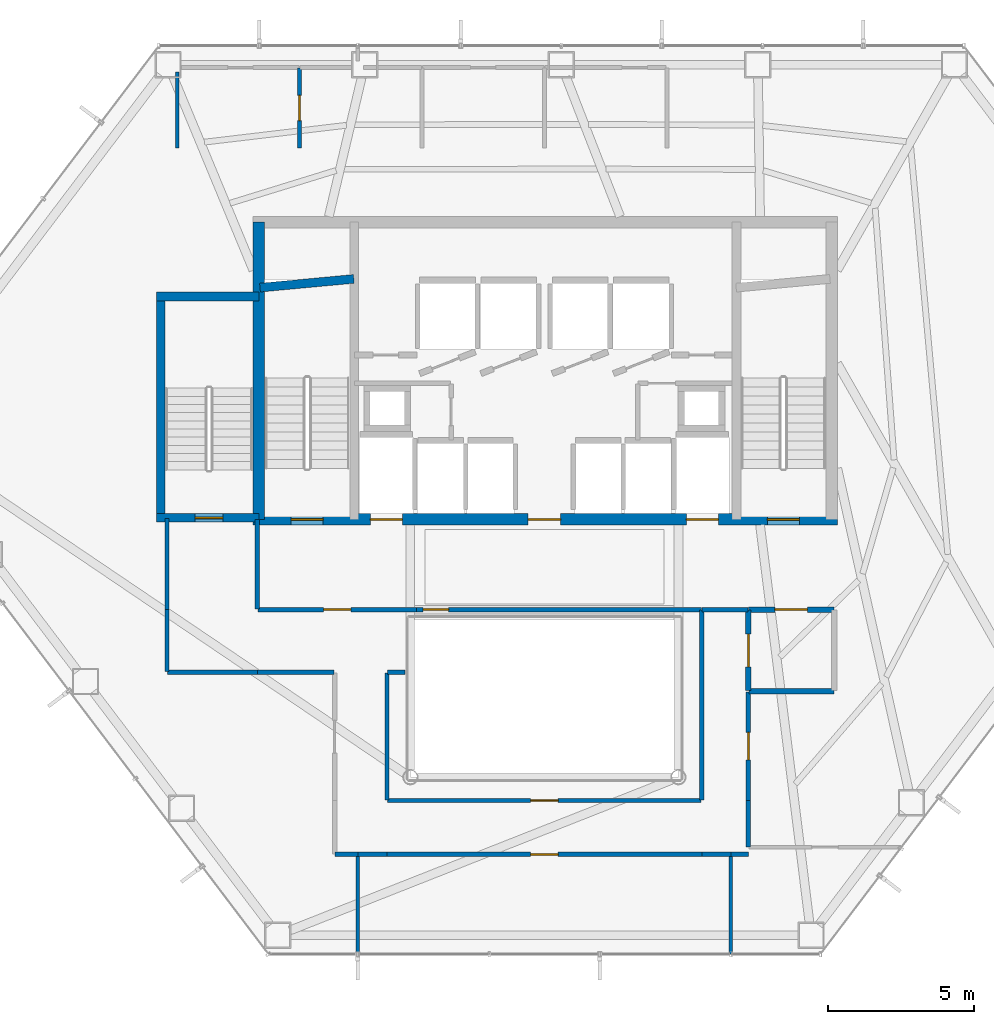
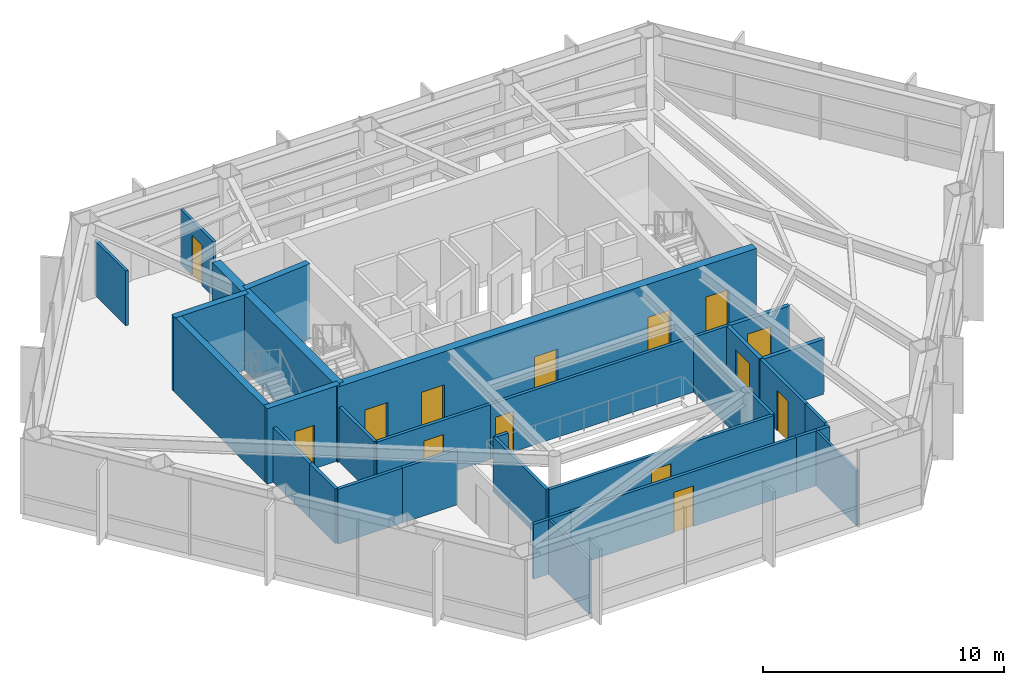
# One storey, part 21 of 24: 32 walls, 14 doors, 14 openings.
"""IFC4 building model written with IfcOpenShell, lengths in metres."""

from ifc_helpers import new_model, si_unit, direction, frame, frame_2d, origin, place, context, subcontext, project, spatial, rectangle, extrude, material, layer, layer_set, type_object, element, fill, save


model = new_model("IFC4")

# Units and contexts
model_context = context("Model", 3, precision=1e-05, world=origin(), true_north=direction((0.0, 1.0)))
body_context = subcontext(model_context, "Body", "Model", "MODEL_VIEW")
ifc_project = project(units=[si_unit("LENGTHUNIT", "METRE"), si_unit("AREAUNIT", "SQUARE_METRE"), si_unit("VOLUMEUNIT", "CUBIC_METRE"), si_unit("PLANEANGLEUNIT", "RADIAN"), si_unit("MASSUNIT", "GRAM", prefix="KILO")], contexts=[model_context])

# Site, building, storey
site_placement = place(None, origin())
site = spatial("IfcSite", under=ifc_project, at=site_placement, CompositionType="ELEMENT")
building_placement = place(site_placement, origin())
building = spatial("IfcBuilding", under=site, at=building_placement, Name="Zarrinselat Tower", CompositionType="ELEMENT")
storey_placement = place(building_placement, frame((0.0, 0.0, 100.97998046875)))
storey = spatial("IfcBuildingStorey", under=building, at=storey_placement, Name="L24", CompositionType="ELEMENT", Elevation=100.97998046875)

# Wall, opening, door
ifc_material_1 = material(Name="Concrete C40/50", Category="concrete")
ifc_layer_1 = layer(ifc_material_1, 0.18994140625)
ifc_layer_set_1 = layer_set([ifc_layer_1], Name="Concrete C40/50")
wall_type_1 = type_object("IfcWallType", Name="WAL-PART-EI120", PredefinedType="PARTITIONING", material=ifc_layer_set_1)
wall_1_placement = place(storey_placement, frame((45.405029296875, 30.14990234375, 0.0), z_axis=(0.0, 0.0, 1.0), x_axis=(1.0, 0.0, 0.0)))
wall_1 = element("IfcWall", 1, at=wall_1_placement, inside=storey, type_object=wall_type_1, Name="L24 Partition Wall 7", PredefinedType="PARTITIONING", context=body_context, shape_type="SweptSolid", body=[
    extrude(rectangle(XDim=2.925048828125, YDim=0.18994140625, at=frame_2d((1.46240234375, 0.0))), origin(), (0.0, 0.0, 1.0), 2.777099609375),
])
opening_1_placement = place(wall_1_placement, frame((0.902587890625, 0.0, 0.0)))
opening_1 = element("IfcOpeningElement", 2, at=opening_1_placement, cuts=wall_1, Name="Opening ID-02", PredefinedType="OPENING", context=body_context, shape_type="SweptSolid", body=[
    extrude(rectangle(XDim=1.1201171875, YDim=2.050048828125, at=frame_2d((0.56005859375, 1.02490234375))), frame((0.0, 0.10498046875, 0.0), z_axis=(0.0, -1.0, 0.0), x_axis=(1.0, 0.0, 0.0)), (0.0, 0.0, 1.0), 0.2099609375),
])
ifc_material_2 = material(Name="Steel S355J2", Category="steel")
door_type_1 = type_object("IfcDoorType", Name="DR-INT-FD60-W", OperationType="NOTDEFINED", PredefinedType="DOOR", material=ifc_material_2)
door_1_placement = place(opening_1_placement, origin())
door_1 = element("IfcDoor", 3, at=door_1_placement, inside=storey, type_object=door_type_1, Name="L24 Interior Door P7", OperationType="SINGLE_SWING_LEFT", OverallHeight=2.050048828125, OverallWidth=1.1201171875, PredefinedType="DOOR", context=body_context, shape_type="SweptSolid", body=[
    extrude(rectangle(XDim=1.1201171875, YDim=2.050048828125, at=frame_2d((0.56005859375, 1.02490234375))), frame((0.0, 0.02490234375, 0.0), z_axis=(0.0, -1.0, 0.0), x_axis=(1.0, 0.0, 0.0)), (0.0, 0.0, 1.0), 0.050048828125),
])
fill(opening_1, door_1)

wall_2_placement = place(storey_placement, frame((45.39990234375, 27.3701171875, 0.0), z_axis=(0.0, 0.0, 1.0), x_axis=(0.0, 1.0, 0.0)))
wall_2 = element("IfcWall", 4, at=wall_2_placement, inside=storey, type_object=wall_type_1, Name="L24 Partition Wall 12", PredefinedType="PARTITIONING", context=body_context, shape_type="SweptSolid", body=[
    extrude(rectangle(XDim=2.759765625, YDim=0.18994140625, at=frame_2d((1.3798828125, 0.0))), origin(), (0.0, 0.0, 1.0), 2.777099609375),
])
opening_2_placement = place(wall_2_placement, frame((0.820068359375, 0.0, 0.0)))
opening_2 = element("IfcOpeningElement", 5, at=opening_2_placement, cuts=wall_2, Name="Opening ID-02", PredefinedType="OPENING", context=body_context, shape_type="SweptSolid", body=[
    extrude(rectangle(XDim=1.1201171875, YDim=2.050048828125, at=frame_2d((0.56005859375, 1.02490234375))), frame((0.0, 0.10498046875, 0.0), z_axis=(0.0, -1.0, 0.0), x_axis=(1.0, 0.0, 0.0)), (0.0, 0.0, 1.0), 0.2099609375),
])
door_2_placement = place(opening_2_placement, origin())
door_2 = element("IfcDoor", 6, at=door_2_placement, inside=storey, type_object=door_type_1, Name="L24 Interior Door P12", OperationType="SINGLE_SWING_RIGHT", OverallHeight=2.050048828125, OverallWidth=1.1201171875, PredefinedType="DOOR", context=body_context, shape_type="SweptSolid", body=[
    extrude(rectangle(XDim=1.1201171875, YDim=2.050048828125, at=frame_2d((0.56005859375, 1.02490234375))), frame((0.0, 0.02490234375, 0.0), z_axis=(0.0, -1.0, 0.0), x_axis=(1.0, 0.0, 0.0)), (0.0, 0.0, 1.0), 0.050048828125),
])
fill(opening_2, door_2)

# Walls
wall_3_placement = place(storey_placement, frame((45.419921875, 27.35009765625, 0.0), z_axis=(0.0, 0.0, 1.0), x_axis=(1.0, 0.0, 0.0)))
element("IfcWall", 7, at=wall_3_placement, inside=storey, type_object=wall_type_1, Name="L24 Partition Wall 13", PredefinedType="PARTITIONING", context=body_context, shape_type="SweptSolid", body=[
    extrude(rectangle(XDim=2.91015625, YDim=0.18994140625, at=frame_2d((1.455078125, 0.0))), origin(), (0.0, 0.0, 1.0), 2.777099609375),
])
ifc_material_3 = material(Name="Fire-Rated Gypsum Board Partition", Category="gypsum")
ifc_layer_2 = layer(ifc_material_3, 0.14990234375)
ifc_layer_set_2 = layer_set([ifc_layer_2], Name="Fire-Rated Gypsum Board Partition")
wall_type_2 = type_object("IfcWallType", Name="WAL-PART-EI60", PredefinedType="PARTITIONING", material=ifc_layer_set_2)
wall_4_placement = place(storey_placement, frame((43.804931640625, 30.14990234375, 0.0), z_axis=(0.0, 0.0, 1.0), x_axis=(1.0, 0.0, 0.0)))
element("IfcWall", 8, at=wall_4_placement, inside=storey, type_object=wall_type_2, Name="L24 Partition Wall 8", PredefinedType="PARTITIONING", context=body_context, shape_type="SweptSolid", body=[
    extrude(rectangle(XDim=1.590087890625, YDim=0.14990234375, at=frame_2d((0.794921875, 0.0))), origin(), (0.0, 0.0, 1.0), 2.777099609375),
])

# Wall, opening, door
wall_5_placement = place(storey_placement, frame((28.570068359375, 30.14990234375, 0.0), z_axis=(0.0, 0.0, 1.0), x_axis=(1.0, 0.0, 0.0)))
wall_5 = element("IfcWall", 9, at=wall_5_placement, inside=storey, type_object=wall_type_2, Name="L24 Partition Wall 9", PredefinedType="PARTITIONING", context=body_context, shape_type="SweptSolid", body=[
    extrude(rectangle(XDim=5.44482421875, YDim=0.14990234375, at=frame_2d((2.722412109375, 0.0))), origin(), (0.0, 0.0, 1.0), 2.777099609375),
])
opening_3_placement = place(wall_5_placement, frame((2.25244140625, 0.0, 0.0)))
opening_3 = element("IfcOpeningElement", 10, at=opening_3_placement, cuts=wall_5, Name="Opening ID-04", PredefinedType="OPENING", context=body_context, shape_type="SweptSolid", body=[
    extrude(rectangle(XDim=0.93994140625, YDim=2.050048828125, at=frame_2d((0.469970703125, 1.02490234375))), frame((0.0, 0.0849609375, 0.0), z_axis=(0.0, -1.0, 0.0), x_axis=(1.0, 0.0, 0.0)), (0.0, 0.0, 1.0), 0.169921875),
])
ifc_material_4 = material(Name="Fire-Rated Gypsum Board Partition")
door_type_2 = type_object("IfcDoorType", Name="DR-INT-FD30-ENT", OperationType="NOTDEFINED", PredefinedType="DOOR", material=ifc_material_4)
door_3_placement = place(opening_3_placement, origin())
door_3 = element("IfcDoor", 11, at=door_3_placement, inside=storey, type_object=door_type_2, Name="L24 Interior Door P9", OperationType="SINGLE_SWING_RIGHT", OverallHeight=2.050048828125, OverallWidth=0.93994140625, PredefinedType="DOOR", context=body_context, shape_type="SweptSolid", body=[
    extrude(rectangle(XDim=0.93994140625, YDim=2.050048828125, at=frame_2d((0.469970703125, 1.02490234375))), frame((0.0, 0.02490234375, 0.0), z_axis=(0.0, -1.0, 0.0), x_axis=(1.0, 0.0, 0.0)), (0.0, 0.0, 1.0), 0.050048828125),
])
fill(opening_3, door_3)

# Wall
wall_6_placement = place(storey_placement, frame((28.550048828125, 30.169921875, 0.0), z_axis=(0.0, 0.0, 1.0), x_axis=(0.0, 1.0, 0.0)))
element("IfcWall", 12, at=wall_6_placement, inside=storey, type_object=wall_type_2, Name="L24 Partition Wall 10", PredefinedType="PARTITIONING", context=body_context, shape_type="SweptSolid", body=[
    extrude(rectangle(XDim=3.065185546875, YDim=0.14990234375, at=frame_2d((1.53271484375, 0.0))), origin(), (0.0, 0.0, 1.0), 2.777099609375),
])

# Wall, opening, door
wall_7_placement = place(storey_placement, frame((33.985107421875, 30.14990234375, 0.0), z_axis=(0.0, 0.0, 1.0), x_axis=(1.0, 0.0, 0.0)))
wall_7 = element("IfcWall", 13, at=wall_7_placement, inside=storey, type_object=wall_type_2, Name="L24 Partition Wall 11", PredefinedType="PARTITIONING", context=body_context, shape_type="SweptSolid", body=[
    extrude(rectangle(XDim=9.809814453125, YDim=0.14990234375, at=frame_2d((4.90478515625, 0.0))), origin(), (0.0, 0.0, 1.0), 2.777099609375),
])
opening_4_placement = place(wall_7_placement, frame((0.25, 0.0, 0.0)))
opening_4 = element("IfcOpeningElement", 14, at=opening_4_placement, cuts=wall_7, Name="Opening ID-03", PredefinedType="OPENING", context=body_context, shape_type="SweptSolid", body=[
    extrude(rectangle(XDim=0.8798828125, YDim=2.050048828125, at=frame_2d((0.43994140625, 1.02490234375))), frame((0.0, 0.0849609375, 0.0), z_axis=(0.0, -1.0, 0.0), x_axis=(1.0, 0.0, 0.0)), (0.0, 0.0, 1.0), 0.169921875),
])
ifc_material_5 = material(Name="Steel S355J2", Category="steel")
door_type_3 = type_object("IfcDoorType", Name="DR-INT-FD60-S", OperationType="NOTDEFINED", PredefinedType="DOOR", material=ifc_material_5)
door_4_placement = place(opening_4_placement, origin())
door_4 = element("IfcDoor", 15, at=door_4_placement, inside=storey, type_object=door_type_3, Name="L24 Interior Door P11", OperationType="SINGLE_SWING_LEFT", OverallHeight=2.050048828125, OverallWidth=0.8798828125, PredefinedType="DOOR", context=body_context, shape_type="SweptSolid", body=[
    extrude(rectangle(XDim=0.8798828125, YDim=2.050048828125, at=frame_2d((0.43994140625, 1.02490234375))), frame((0.0, 0.02490234375, 0.0), z_axis=(0.0, -1.0, 0.0), x_axis=(1.0, 0.0, 0.0)), (0.0, 0.0, 1.0), 0.050048828125),
])
fill(opening_4, door_4)

# Wall
wall_8_placement = place(storey_placement, frame((43.800048828125, 21.75, 0.0), z_axis=(0.0, 0.0, 1.0), x_axis=(1.0, 0.0, 0.0)))
element("IfcWall", 16, at=wall_8_placement, inside=storey, type_object=wall_type_2, Name="L24 Partition Wall 15", PredefinedType="PARTITIONING", context=body_context, shape_type="SweptSolid", body=[
    extrude(rectangle(XDim=0.994873046875, YDim=0.14990234375, at=frame_2d((0.49755859375, 0.0))), origin(), (0.0, 0.0, 1.0), 2.777099609375),
])

# Wall, opening, door
wall_9_placement = place(storey_placement, frame((33.0, 21.75, 0.0), z_axis=(0.0, 0.0, 1.0), x_axis=(1.0, 0.0, 0.0)))
wall_9 = element("IfcWall", 17, at=wall_9_placement, inside=storey, type_object=wall_type_2, Name="L24 Partition Wall 16", PredefinedType="PARTITIONING", context=body_context, shape_type="SweptSolid", body=[
    extrude(rectangle(XDim=10.800048828125, YDim=0.14990234375, at=frame_2d((5.39990234375, 0.0))), origin(), (0.0, 0.0, 1.0), 2.777099609375),
])
opening_5_placement = place(wall_9_placement, frame((4.929931640625, 0.0, 0.0)))
opening_5 = element("IfcOpeningElement", 18, at=opening_5_placement, cuts=wall_9, Name="Opening ID-04", PredefinedType="OPENING", context=body_context, shape_type="SweptSolid", body=[
    extrude(rectangle(XDim=0.93994140625, YDim=2.050048828125, at=frame_2d((0.469970703125, 1.02490234375))), frame((0.0, 0.0849609375, 0.0), z_axis=(0.0, -1.0, 0.0), x_axis=(1.0, 0.0, 0.0)), (0.0, 0.0, 1.0), 0.169921875),
])
door_5_placement = place(opening_5_placement, origin())
door_5 = element("IfcDoor", 19, at=door_5_placement, inside=storey, type_object=door_type_2, Name="L24 Interior Door P16", OperationType="SINGLE_SWING_LEFT", OverallHeight=2.050048828125, OverallWidth=0.93994140625, PredefinedType="DOOR", context=body_context, shape_type="SweptSolid", body=[
    extrude(rectangle(XDim=0.93994140625, YDim=2.050048828125, at=frame_2d((0.469970703125, 1.02490234375))), frame((0.0, 0.02490234375, 0.0), z_axis=(0.0, -1.0, 0.0), x_axis=(1.0, 0.0, 0.0)), (0.0, 0.0, 1.0), 0.050048828125),
])
fill(opening_5, door_5)

# Walls
wall_10_placement = place(storey_placement, frame((32.0048828125, 21.75, 0.0), z_axis=(0.0, 0.0, 1.0), x_axis=(1.0, 0.0, 0.0)))
element("IfcWall", 20, at=wall_10_placement, inside=storey, type_object=wall_type_2, Name="L24 Partition Wall 17", PredefinedType="PARTITIONING", context=body_context, shape_type="SweptSolid", body=[
    extrude(rectangle(XDim=0.9951171875, YDim=0.14990234375, at=frame_2d((0.49755859375, 0.0))), origin(), (0.0, 0.0, 1.0), 2.777099609375),
])
wall_11_placement = place(storey_placement, frame((44.804931640625, 21.75, 0.0), z_axis=(0.0, 0.0, 1.0), x_axis=(1.0, 0.0, 0.0)))
element("IfcWall", 21, at=wall_11_placement, inside=storey, type_object=wall_type_2, Name="L24 Partition Wall 18", PredefinedType="PARTITIONING", context=body_context, shape_type="SweptSolid", body=[
    extrude(rectangle(XDim=0.594970703125, YDim=0.14990234375, at=frame_2d((0.29736328125, 0.0))), origin(), (0.0, 0.0, 1.0), 2.777099609375),
])
wall_12_placement = place(storey_placement, frame((31.219970703125, 21.75, 0.0), z_axis=(0.0, 0.0, 1.0), x_axis=(1.0, 0.0, 0.0)))
element("IfcWall", 22, at=wall_12_placement, inside=storey, type_object=wall_type_2, Name="L24 Partition Wall 19", PredefinedType="PARTITIONING", context=body_context, shape_type="SweptSolid", body=[
    extrude(rectangle(XDim=0.775146484375, YDim=0.14990234375, at=frame_2d((0.3876953125, 0.0))), origin(), (0.0, 0.0, 1.0), 2.777099609375),
])
wall_13_placement = place(storey_placement, frame((28.550048828125, 28.0, 0.0), z_axis=(0.0, 0.0, 1.0), x_axis=(1.0, 0.0, 0.0)))
element("IfcWall", 23, at=wall_13_placement, inside=storey, type_object=wall_type_2, Name="L24 Partition Wall 22", PredefinedType="PARTITIONING", context=body_context, shape_type="SweptSolid", body=[
    extrude(rectangle(XDim=2.6298828125, YDim=0.14990234375, at=frame_2d((1.31494140625, 0.0))), origin(), (0.0, 0.0, 1.0), 2.777099609375),
])
wall_14_placement = place(storey_placement, frame((25.469970703125, 28.0, 0.0), z_axis=(0.0, 0.0, 1.0), x_axis=(1.0, 0.0, 0.0)))
element("IfcWall", 24, at=wall_14_placement, inside=storey, type_object=wall_type_2, Name="L24 Partition Wall 23", PredefinedType="PARTITIONING", context=body_context, shape_type="SweptSolid", body=[
    extrude(rectangle(XDim=3.080078125, YDim=0.14990234375, at=frame_2d((1.5400390625, 0.0))), origin(), (0.0, 0.0, 1.0), 2.777099609375),
])
wall_15_placement = place(storey_placement, frame((25.449951171875, 28.02001953125, 0.0), z_axis=(0.0, 0.0, 1.0), x_axis=(0.0, 1.0, 0.0)))
element("IfcWall", 25, at=wall_15_placement, inside=storey, type_object=wall_type_2, Name="L24 Partition Wall 24", PredefinedType="PARTITIONING", context=body_context, shape_type="SweptSolid", body=[
    extrude(rectangle(XDim=2.1298828125, YDim=0.14990234375, at=frame_2d((1.06494140625, 0.0))), origin(), (0.0, 0.0, 1.0), 2.777099609375),
])
wall_16_placement = place(storey_placement, frame((25.449951171875, 30.14990234375, 0.0), z_axis=(0.0, 0.0, 1.0), x_axis=(0.0, 1.0, 0.0)))
element("IfcWall", 26, at=wall_16_placement, inside=storey, type_object=wall_type_2, Name="L24 Partition Wall 25", PredefinedType="PARTITIONING", context=body_context, shape_type="SweptSolid", body=[
    extrude(rectangle(XDim=3.135009765625, YDim=0.14990234375, at=frame_2d((1.5673828125, 0.0))), origin(), (0.0, 0.0, 1.0), 2.777099609375),
])

# Wall, opening, door
wall_17_placement = place(storey_placement, frame((45.39990234375, 23.60009765625, 0.0), z_axis=(0.0, 0.0, 1.0), x_axis=(0.0, 1.0, 0.0)))
wall_17 = element("IfcWall", 27, at=wall_17_placement, inside=storey, type_object=wall_type_2, Name="L24 Partition Wall 26", PredefinedType="PARTITIONING", context=body_context, shape_type="SweptSolid", body=[
    extrude(rectangle(XDim=3.72998046875, YDim=0.14990234375, at=frame_2d((1.864990234375, 0.0))), origin(), (0.0, 0.0, 1.0), 2.777099609375),
])
opening_6_placement = place(wall_17_placement, frame((1.39501953125, 0.0, 0.0)))
opening_6 = element("IfcOpeningElement", 28, at=opening_6_placement, cuts=wall_17, Name="Opening ID-04", PredefinedType="OPENING", context=body_context, shape_type="SweptSolid", body=[
    extrude(rectangle(XDim=0.93994140625, YDim=2.050048828125, at=frame_2d((0.469970703125, 1.02490234375))), frame((0.0, 0.0849609375, 0.0), z_axis=(0.0, -1.0, 0.0), x_axis=(1.0, 0.0, 0.0)), (0.0, 0.0, 1.0), 0.169921875),
])
door_6_placement = place(opening_6_placement, origin())
door_6 = element("IfcDoor", 29, at=door_6_placement, inside=storey, type_object=door_type_2, Name="L24 Interior Door P26", OperationType="SINGLE_SWING_LEFT", OverallHeight=2.050048828125, OverallWidth=0.93994140625, PredefinedType="DOOR", context=body_context, shape_type="SweptSolid", body=[
    extrude(rectangle(XDim=0.93994140625, YDim=2.050048828125, at=frame_2d((0.469970703125, 1.02490234375))), frame((0.0, 0.02490234375, 0.0), z_axis=(0.0, -1.0, 0.0), x_axis=(1.0, 0.0, 0.0)), (0.0, 0.0, 1.0), 0.050048828125),
])
fill(opening_6, door_6)

# Walls
wall_18_placement = place(storey_placement, frame((45.39990234375, 22.0048828125, 0.0), z_axis=(0.0, 0.0, 1.0), x_axis=(0.0, 1.0, 0.0)))
element("IfcWall", 30, at=wall_18_placement, inside=storey, type_object=wall_type_2, Name="L24 Partition Wall 27", PredefinedType="PARTITIONING", context=body_context, shape_type="SweptSolid", body=[
    extrude(rectangle(XDim=1.59521484375, YDim=0.14990234375, at=frame_2d((0.797607421875, 0.0))), origin(), (0.0, 0.0, 1.0), 2.777099609375),
])
wall_19_placement = place(storey_placement, frame((33.02001953125, 28.0, 0.0), z_axis=(0.0, 0.0, 1.0), x_axis=(1.0, 0.0, 0.0)))
element("IfcWall", 31, at=wall_19_placement, inside=storey, type_object=wall_type_2, Name="L24 Partition Wall 28", PredefinedType="PARTITIONING", context=body_context, shape_type="SweptSolid", body=[
    extrude(rectangle(XDim=0.60009765625, YDim=0.14990234375, at=frame_2d((0.300048828125, 0.0))), origin(), (0.0, 0.0, 1.0), 2.777099609375),
])
wall_20_placement = place(storey_placement, frame((33.0, 23.6201171875, 0.0), z_axis=(0.0, 0.0, 1.0), x_axis=(0.0, 1.0, 0.0)))
element("IfcWall", 32, at=wall_20_placement, inside=storey, type_object=wall_type_2, Name="L24 Partition Wall 29", PredefinedType="PARTITIONING", context=body_context, shape_type="SweptSolid", body=[
    extrude(rectangle(XDim=4.35986328125, YDim=0.14990234375, at=frame_2d((2.179931640625, 0.0))), origin(), (0.0, 0.0, 1.0), 2.777099609375),
])

# Wall, opening, door
wall_21_placement = place(storey_placement, frame((33.02001953125, 23.60009765625, 0.0), z_axis=(0.0, 0.0, 1.0), x_axis=(1.0, 0.0, 0.0)))
wall_21 = element("IfcWall", 33, at=wall_21_placement, inside=storey, type_object=wall_type_2, Name="L24 Partition Wall 30", PredefinedType="PARTITIONING", context=body_context, shape_type="SweptSolid", body=[
    extrude(rectangle(XDim=10.760009765625, YDim=0.14990234375, at=frame_2d((5.3798828125, 0.0))), origin(), (0.0, 0.0, 1.0), 2.777099609375),
])
opening_7_placement = place(wall_21_placement, frame((4.909912109375, 0.0, 0.0)))
opening_7 = element("IfcOpeningElement", 34, at=opening_7_placement, cuts=wall_21, Name="Opening ID-04", PredefinedType="OPENING", context=body_context, shape_type="SweptSolid", body=[
    extrude(rectangle(XDim=0.93994140625, YDim=2.050048828125, at=frame_2d((0.469970703125, 1.02490234375))), frame((0.0, 0.0849609375, 0.0), z_axis=(0.0, -1.0, 0.0), x_axis=(1.0, 0.0, 0.0)), (0.0, 0.0, 1.0), 0.169921875),
])
door_7_placement = place(opening_7_placement, origin())
door_7 = element("IfcDoor", 35, at=door_7_placement, inside=storey, type_object=door_type_2, Name="L24 Interior Door P30", OperationType="SINGLE_SWING_RIGHT", OverallHeight=2.050048828125, OverallWidth=0.93994140625, PredefinedType="DOOR", context=body_context, shape_type="SweptSolid", body=[
    extrude(rectangle(XDim=0.93994140625, YDim=2.050048828125, at=frame_2d((0.469970703125, 1.02490234375))), frame((0.0, 0.02490234375, 0.0), z_axis=(0.0, -1.0, 0.0), x_axis=(1.0, 0.0, 0.0)), (0.0, 0.0, 1.0), 0.050048828125),
])
fill(opening_7, door_7)

# Walls
wall_22_placement = place(storey_placement, frame((43.800048828125, 23.6201171875, 0.0), z_axis=(0.0, 0.0, 1.0), x_axis=(0.0, 1.0, 0.0)))
element("IfcWall", 36, at=wall_22_placement, inside=storey, type_object=wall_type_2, Name="L24 Partition Wall 31", PredefinedType="PARTITIONING", context=body_context, shape_type="SweptSolid", body=[
    extrude(rectangle(XDim=6.509765625, YDim=0.14990234375, at=frame_2d((3.2548828125, 0.0))), origin(), (0.0, 0.0, 1.0), 2.777099609375),
])
ifc_material_6 = material(Name="Fire-Rated Gypsum Board Partition", Category="gypsum")
ifc_layer_3 = layer(ifc_material_6, 0.1201171875)
ifc_layer_set_3 = layer_set([ifc_layer_3], Name="Fire-Rated Gypsum Board Partition")
wall_type_3 = type_object("IfcWallType", Name="WAL-PART-STD", PredefinedType="PARTITIONING", material=ifc_layer_set_3)
for number, where, z_axis, x_axis, name in (
    (37, (44.800048828125, 18.340576171875, 0.0), (0.0, 0.0, 1.0), (0.0, 1.0, 0.0), "L24 Partition Wall 42"),
    (38, (32.0, 18.340576171875, 0.0), (0.0, 0.0, 1.0), (0.0, 1.0, 0.0), "L24 Partition Wall 43"),
):
    element("IfcWall", number, at=place(storey_placement, frame(where, z_axis=z_axis, x_axis=x_axis)), inside=storey, type_object=wall_type_3, Name=name, PredefinedType="PARTITIONING", context=body_context, shape_type="SweptSolid", body=[
        extrude(rectangle(XDim=3.389404296875, YDim=0.1201171875, at=frame_2d((1.69482421875, 0.0))), origin(), (0.0, 0.0, 1.0), 2.777099609375),
    ])

# Wall, opening, door
ifc_material_7 = material(Name="Fire-Rated Gypsum Board Partition", Category="gypsum")
ifc_layer_4 = layer(ifc_material_7, 0.135009765625)
ifc_layer_set_4 = layer_set([ifc_layer_4], Name="Fire-Rated Gypsum Board Partition")
wall_type_4 = type_object("IfcWallType", Name="WAL-PART-WET", PredefinedType="PARTITIONING", material=ifc_layer_set_4)
wall_23_placement = place(storey_placement, frame((30.0, 46.0, 0.0), z_axis=(0.0, 0.0, 1.0), x_axis=(0.0, 1.0, 0.0)))
wall_23 = element("IfcWall", 39, at=wall_23_placement, inside=storey, type_object=wall_type_4, Name="L24 Partition Wall 32", PredefinedType="PARTITIONING", context=body_context, shape_type="SweptSolid", body=[
    extrude(rectangle(XDim=2.72998046875, YDim=0.135009765625, at=frame_2d((1.364990234375, 0.0))), origin(), (0.0, 0.0, 1.0), 2.777099609375),
])
opening_8_placement = place(wall_23_placement, frame((0.93505859375, 0.0, 0.0)))
opening_8 = element("IfcOpeningElement", 40, at=opening_8_placement, cuts=wall_23, Name="Opening ID-06", PredefinedType="OPENING", context=body_context, shape_type="SweptSolid", body=[
    extrude(rectangle(XDim=0.860107421875, YDim=2.050048828125, at=frame_2d((0.43017578125, 1.02490234375))), frame((0.0, 0.077392578125, 0.0), z_axis=(0.0, -1.0, 0.0), x_axis=(1.0, 0.0, 0.0)), (0.0, 0.0, 1.0), 0.155029296875),
])
ifc_material_8 = material(Name="Extruded Aluminium Alloy EN AW-6063 T6", Category="aluminium")
door_type_4 = type_object("IfcDoorType", Name="DR-INT-WET-900", OperationType="NOTDEFINED", PredefinedType="DOOR", material=ifc_material_8)
door_8_placement = place(opening_8_placement, origin())
door_8 = element("IfcDoor", 41, at=door_8_placement, inside=storey, type_object=door_type_4, Name="L24 Interior Door P32", OperationType="SINGLE_SWING_LEFT", OverallHeight=2.050048828125, OverallWidth=0.860107421875, PredefinedType="DOOR", context=body_context, shape_type="SweptSolid", body=[
    extrude(rectangle(XDim=0.860107421875, YDim=2.050048828125, at=frame_2d((0.43017578125, 1.02490234375))), frame((0.0, 0.02490234375, 0.0), z_axis=(0.0, -1.0, 0.0), x_axis=(1.0, 0.0, 0.0)), (0.0, 0.0, 1.0), 0.050048828125),
])
fill(opening_8, door_8)

# Walls
wall_24_placement = place(storey_placement, frame((25.800048828125, 46.0, 0.0), z_axis=(0.0, 0.0, 1.0), x_axis=(0.0, 1.0, 0.0)))
element("IfcWall", 42, at=wall_24_placement, inside=storey, type_object=wall_type_4, Name="L24 Partition Wall 34", PredefinedType="PARTITIONING", context=body_context, shape_type="SweptSolid", body=[
    extrude(rectangle(XDim=2.59912109375, YDim=0.135009765625, at=frame_2d((1.299560546875, 0.0))), origin(), (0.0, 0.0, 1.0), 2.777099609375),
])
ifc_material_9 = material(Name="Concrete C40/50", Category="concrete")
ifc_layer_5 = layer(ifc_material_9, 0.300048828125)
ifc_layer_set_5 = layer_set([ifc_layer_5], Name="Concrete C40/50")
wall_type_5 = type_object("IfcWallType", Name="WAL-SHEAR-300", PredefinedType="SHEAR", material=ifc_layer_set_5)
wall_25_placement = place(storey_placement, frame((28.639892578125, 41.199951171875, 0.0), z_axis=(0.0, 0.0, 1.0), x_axis=(0.995687118776, 0.092774789157, 0.0)))
element("IfcWall", 43, at=wall_25_placement, inside=storey, type_object=wall_type_5, Name="L24 Stair 1 North Shaft Wall", PredefinedType="SHEAR", context=body_context, shape_type="SweptSolid", body=[
    extrude(rectangle(XDim=3.234130859375, YDim=0.300048828125, at=frame_2d((1.6171875, 0.0))), origin(), (0.0, 0.0, 1.0), 3.820068359375),
])
wall_26_placement = place(storey_placement, frame((25.080078125, 40.89990234375, 0.0), z_axis=(0.0, 0.0, 1.0), x_axis=(1.0, 0.0, 0.0)))
element("IfcWall", 44, at=wall_26_placement, inside=storey, type_object=wall_type_5, Name="L24 Stair 3 North Shear Wall", PredefinedType="SHEAR", context=body_context, shape_type="SweptSolid", body=[
    extrude(rectangle(XDim=3.52001953125, YDim=0.300048828125, at=frame_2d((1.760009765625, 0.0))), origin(), (0.0, 0.0, 1.0), 3.820068359375),
])

# Wall, opening, door
wall_27_placement = place(storey_placement, frame((25.080078125, 33.300048828125, 0.0), z_axis=(0.0, 0.0, 1.0), x_axis=(1.0, 0.0, 0.0)))
wall_27 = element("IfcWall", 45, at=wall_27_placement, inside=storey, type_object=wall_type_5, Name="L24 Stair 3 South Shear Wall", PredefinedType="SHEAR", context=body_context, shape_type="SweptSolid", body=[
    extrude(rectangle(XDim=3.52001953125, YDim=0.300048828125, at=frame_2d((1.760009765625, 0.0))), origin(), (0.0, 0.0, 1.0), 3.820068359375),
])
opening_9_placement = place(wall_27_placement, frame((1.3349609375, 0.0, 0.0)))
opening_9 = element("IfcOpeningElement", 46, at=opening_9_placement, cuts=wall_27, Name="Opening SD-02", PredefinedType="OPENING", context=body_context, shape_type="SweptSolid", body=[
    extrude(rectangle(XDim=0.949951171875, YDim=2.199951171875, at=frame_2d((0.47509765625, 1.10009765625))), frame((0.0, 0.159912109375, 0.0), z_axis=(0.0, -1.0, 0.0), x_axis=(1.0, 0.0, 0.0)), (0.0, 0.0, 1.0), 0.320068359375),
])
ifc_material_10 = material(Name="Steel S355J2", Category="steel")
door_type_5 = type_object("IfcDoorType", Name="DR-STAIR-1050", OperationType="NOTDEFINED", PredefinedType="DOOR", material=ifc_material_10)
door_9_placement = place(opening_9_placement, origin())
door_9 = element("IfcDoor", 47, at=door_9_placement, inside=storey, type_object=door_type_5, Name="L24 Exit Stair 3 Fire Door", OperationType="SINGLE_SWING_LEFT", OverallHeight=2.199951171875, OverallWidth=0.949951171875, PredefinedType="DOOR", context=body_context, shape_type="SweptSolid", body=[
    extrude(rectangle(XDim=0.949951171875, YDim=2.199951171875, at=frame_2d((0.47509765625, 1.10009765625))), frame((0.0, 0.02490234375, 0.0), z_axis=(0.0, -1.0, 0.0), x_axis=(1.0, 0.0, 0.0)), (0.0, 0.0, 1.0), 0.050048828125),
])
fill(opening_9, door_9)

# Wall
wall_28_placement = place(storey_placement, frame((25.22998046875, 33.300048828125, 0.0), z_axis=(0.0, 0.0, 1.0), x_axis=(0.0, 1.0, 0.0)))
element("IfcWall", 48, at=wall_28_placement, inside=storey, type_object=wall_type_5, Name="L24 Stair 3 West Shear Wall", PredefinedType="SHEAR", context=body_context, shape_type="SweptSolid", body=[
    extrude(rectangle(XDim=7.599853515625, YDim=0.300048828125, at=frame_2d((3.7998046875, 0.0))), origin(), (0.0, 0.0, 1.0), 3.820068359375),
])

# Wall, openings, doors
ifc_material_11 = material(Name="Concrete C60/75", Category="concrete")
ifc_layer_6 = layer(ifc_material_11, 0.39990234375)
ifc_layer_set_6 = layer_set([ifc_layer_6], Name="Concrete C60/75")
wall_type_6 = type_object("IfcWallType", Name="WAL-SHEAR-400", PredefinedType="SHEAR", material=ifc_layer_set_6)
wall_29_placement = place(storey_placement, frame((28.39990234375, 33.25, 0.0), z_axis=(0.0, 0.0, 1.0), x_axis=(1.0, 0.0, 0.0)))
wall_29 = element("IfcWall", 49, at=wall_29_placement, inside=storey, type_object=wall_type_6, Name="L24 South Core Shear Wall", PredefinedType="SHEAR", context=body_context, shape_type="SweptSolid", body=[
    extrude(rectangle(XDim=20.06005859375, YDim=0.39990234375, at=frame_2d((10.030029296875, 0.0))), origin(), (0.0, 0.0, 1.0), 3.820068359375),
])
opening_10_placement = place(wall_29_placement, frame((4.030029296875, 0.0, 0.0)))
opening_10 = element("IfcOpeningElement", 50, at=opening_10_placement, cuts=wall_29, Name="Opening LD-FFL1", PredefinedType="OPENING", context=body_context, shape_type="SweptSolid", body=[
    extrude(rectangle(XDim=1.10009765625, YDim=2.14990234375, at=frame_2d((0.550048828125, 1.074951171875))), frame((0.0, 0.2099609375, 0.0), z_axis=(0.0, -1.0, 0.0), x_axis=(1.0, 0.0, 0.0)), (0.0, 0.0, 1.0), 0.419921875),
])
opening_11_placement = place(wall_29_placement, frame((14.8701171875, 0.0, 0.0)))
opening_11 = element("IfcOpeningElement", 51, at=opening_11_placement, cuts=wall_29, Name="Opening LD-FFL2", PredefinedType="OPENING", context=body_context, shape_type="SweptSolid", body=[
    extrude(rectangle(XDim=1.10009765625, YDim=2.14990234375, at=frame_2d((0.550048828125, 1.074951171875))), frame((0.0, 0.2099609375, 0.0), z_axis=(0.0, -1.0, 0.0), x_axis=(1.0, 0.0, 0.0)), (0.0, 0.0, 1.0), 0.419921875),
])
opening_12_placement = place(wall_29_placement, frame((1.31005859375, 0.0, 0.0)))
opening_12 = element("IfcOpeningElement", 52, at=opening_12_placement, cuts=wall_29, Name="Opening SD-01", PredefinedType="OPENING", context=body_context, shape_type="SweptSolid", body=[
    extrude(rectangle(XDim=1.10009765625, YDim=2.199951171875, at=frame_2d((0.550048828125, 1.10009765625))), frame((0.0, 0.2099609375, 0.0), z_axis=(0.0, -1.0, 0.0), x_axis=(1.0, 0.0, 0.0)), (0.0, 0.0, 1.0), 0.419921875),
])
opening_13_placement = place(wall_29_placement, frame((9.43994140625, 0.0, 0.0)))
opening_13 = element("IfcOpeningElement", 53, at=opening_13_placement, cuts=wall_29, Name="Opening ID-02", PredefinedType="OPENING", context=body_context, shape_type="SweptSolid", body=[
    extrude(rectangle(XDim=1.1201171875, YDim=2.050048828125, at=frame_2d((0.56005859375, 1.02490234375))), frame((0.0, 0.2099609375, 0.0), z_axis=(0.0, -1.0, 0.0), x_axis=(1.0, 0.0, 0.0)), (0.0, 0.0, 1.0), 0.419921875),
])
opening_14_placement = place(wall_29_placement, frame((17.64990234375, 0.0, 0.0)))
opening_14 = element("IfcOpeningElement", 54, at=opening_14_placement, cuts=wall_29, Name="Opening SD-01", PredefinedType="OPENING", context=body_context, shape_type="SweptSolid", body=[
    extrude(rectangle(XDim=1.10009765625, YDim=2.199951171875, at=frame_2d((0.550048828125, 1.10009765625))), frame((0.0, 0.2099609375, 0.0), z_axis=(0.0, -1.0, 0.0), x_axis=(1.0, 0.0, 0.0)), (0.0, 0.0, 1.0), 0.419921875),
])
door_10_placement = place(opening_13_placement, origin())
door_10 = element("IfcDoor", 55, at=door_10_placement, inside=storey, type_object=door_type_1, Name="L24 Core Service Vestibule Fire Door", OperationType="SINGLE_SWING_RIGHT", OverallHeight=2.050048828125, OverallWidth=1.1201171875, PredefinedType="DOOR", context=body_context, shape_type="SweptSolid", body=[
    extrude(rectangle(XDim=1.1201171875, YDim=2.050048828125, at=frame_2d((0.56005859375, 1.02490234375))), frame((0.0, 0.02490234375, 0.0), z_axis=(0.0, -1.0, 0.0), x_axis=(1.0, 0.0, 0.0)), (0.0, 0.0, 1.0), 0.050048828125),
])
fill(opening_13, door_10)
ifc_material_12 = material(Name="Steel S355J2", Category="steel")
door_type_6 = type_object("IfcDoorType", Name="DR-LIFT-FF-1100", OperationType="NOTDEFINED", PredefinedType="DOOR", material=ifc_material_12)
door_11_placement = place(opening_10_placement, origin())
door_11 = element("IfcDoor", 56, at=door_11_placement, inside=storey, type_object=door_type_6, Name="L24 Lift FFL1 Sliding Landing Door", OperationType="SLIDING_TO_LEFT", OverallHeight=2.14990234375, OverallWidth=1.10009765625, PredefinedType="DOOR", context=body_context, shape_type="SweptSolid", body=[
    extrude(rectangle(XDim=1.10009765625, YDim=2.14990234375, at=frame_2d((0.550048828125, 1.074951171875))), frame((0.0, 0.02490234375, 0.0), z_axis=(0.0, -1.0, 0.0), x_axis=(1.0, 0.0, 0.0)), (0.0, 0.0, 1.0), 0.050048828125),
])
fill(opening_10, door_11)
door_12_placement = place(opening_11_placement, origin())
door_12 = element("IfcDoor", 57, at=door_12_placement, inside=storey, type_object=door_type_6, Name="L24 Lift FFL2 Sliding Landing Door", OperationType="SLIDING_TO_RIGHT", OverallHeight=2.14990234375, OverallWidth=1.10009765625, PredefinedType="DOOR", context=body_context, shape_type="SweptSolid", body=[
    extrude(rectangle(XDim=1.10009765625, YDim=2.14990234375, at=frame_2d((0.550048828125, 1.074951171875))), frame((0.0, 0.02490234375, 0.0), z_axis=(0.0, -1.0, 0.0), x_axis=(1.0, 0.0, 0.0)), (0.0, 0.0, 1.0), 0.050048828125),
])
fill(opening_11, door_12)
ifc_material_13 = material(Name="Steel S355J2", Category="steel")
door_type_7 = type_object("IfcDoorType", Name="DR-STAIR-1100", OperationType="NOTDEFINED", PredefinedType="DOOR", material=ifc_material_13)
door_13_placement = place(opening_12_placement, origin())
door_13 = element("IfcDoor", 58, at=door_13_placement, inside=storey, type_object=door_type_7, Name="L24 Exit Stair 1 Fire Door", OperationType="SINGLE_SWING_LEFT", OverallHeight=2.199951171875, OverallWidth=1.10009765625, PredefinedType="DOOR", context=body_context, shape_type="SweptSolid", body=[
    extrude(rectangle(XDim=1.10009765625, YDim=2.199951171875, at=frame_2d((0.550048828125, 1.10009765625))), frame((0.0, 0.02490234375, 0.0), z_axis=(0.0, -1.0, 0.0), x_axis=(1.0, 0.0, 0.0)), (0.0, 0.0, 1.0), 0.050048828125),
])
fill(opening_12, door_13)
door_14_placement = place(opening_14_placement, origin())
door_14 = element("IfcDoor", 59, at=door_14_placement, inside=storey, type_object=door_type_7, Name="L24 Exit Stair 2 Fire Door", OperationType="SINGLE_SWING_RIGHT", OverallHeight=2.199951171875, OverallWidth=1.10009765625, PredefinedType="DOOR", context=body_context, shape_type="SweptSolid", body=[
    extrude(rectangle(XDim=1.10009765625, YDim=2.199951171875, at=frame_2d((0.550048828125, 1.10009765625))), frame((0.0, 0.02490234375, 0.0), z_axis=(0.0, -1.0, 0.0), x_axis=(1.0, 0.0, 0.0)), (0.0, 0.0, 1.0), 0.050048828125),
])
fill(opening_14, door_14)

# Wall
wall_30_placement = place(storey_placement, frame((28.60009765625, 33.25, 0.0), z_axis=(0.0, 0.0, 1.0), x_axis=(0.0, 1.0, 0.0)))
element("IfcWall", 60, at=wall_30_placement, inside=storey, type_object=wall_type_6, Name="L24 Core Shear Wall W", PredefinedType="SHEAR", context=body_context, shape_type="SweptSolid", body=[
    extrude(rectangle(XDim=10.199951171875, YDim=0.39990234375, at=frame_2d((5.10009765625, 0.0))), origin(), (0.0, 0.0, 1.0), 3.820068359375),
])

save(model, "model.ifc")
